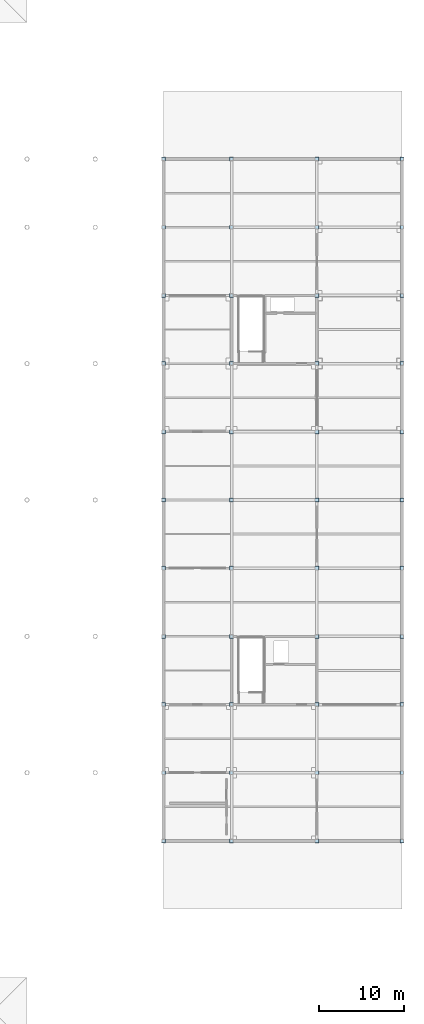
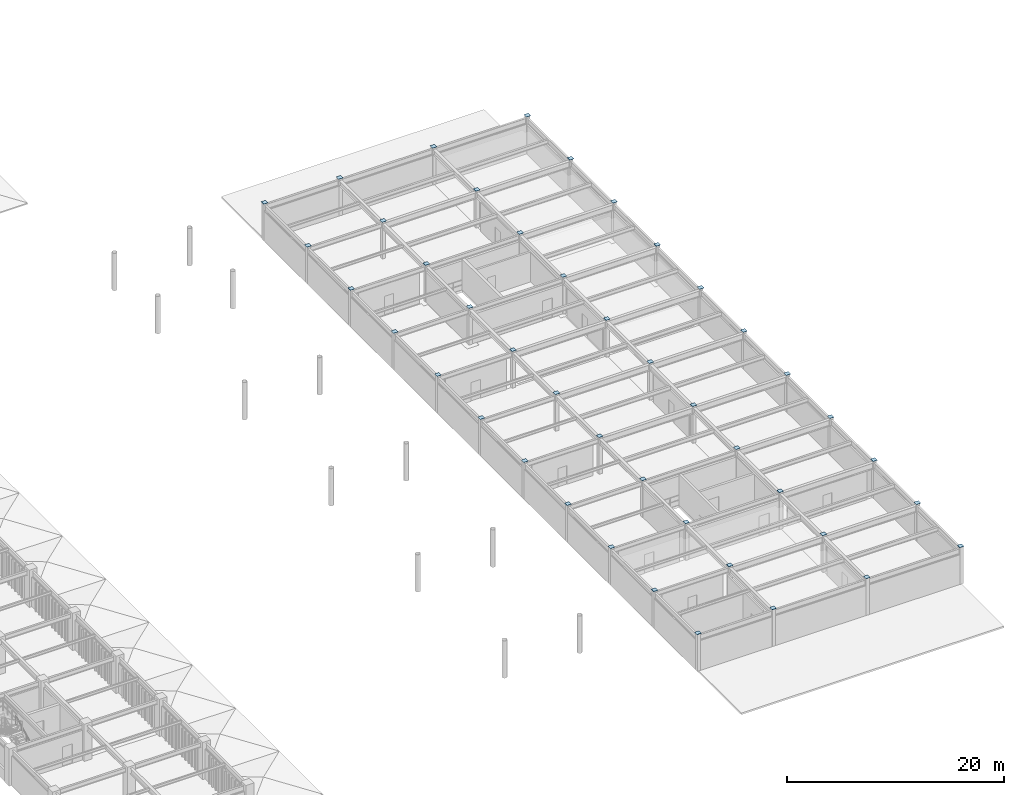
# One storey, part 50 of 78: 44 plates.
"""IFC4 building model written with IfcOpenShell, lengths in metres."""

from ifc_helpers import new_model, si_unit, direction, frame, origin, origin_2d, place, context, subcontext, project, spatial, rectangle, extrude, material, layer, layer_set, type_object, element, save


model = new_model("IFC4")

# Units and contexts
model_context = context("Model", 3, precision=1e-05, world=origin(), true_north=direction((0.0, 1.0)))
body_context = subcontext(model_context, "Body", "Model", "MODEL_VIEW")
ifc_project = project(units=[si_unit("LENGTHUNIT", "METRE"), si_unit("AREAUNIT", "SQUARE_METRE"), si_unit("VOLUMEUNIT", "CUBIC_METRE"), si_unit("PLANEANGLEUNIT", "RADIAN"), si_unit("MASSUNIT", "GRAM", prefix="KILO")], contexts=[model_context])

# Site, building, storey
site_placement = place(None, origin())
site = spatial("IfcSite", under=ifc_project, at=site_placement, CompositionType="ELEMENT")
building_placement = place(site_placement, origin())
building = spatial("IfcBuilding", under=site, at=building_placement, Name="Haebicheon Civic Stadium", CompositionType="ELEMENT")
storey_placement = place(building_placement, frame((0.0, 0.0, 18.60009765625)))
storey = spatial("IfcBuildingStorey", under=building, at=storey_placement, Name="L05", CompositionType="ELEMENT", Elevation=18.60009765625)

# Plates
ifc_material = material(Name="White painted steel SM490", Category="steel")
ifc_layer = layer(ifc_material, 0.02001953125, Name="White painted steel SM490")
ifc_layer_set = layer_set([ifc_layer], Name="White painted steel SM490")
plate_type = type_object("IfcPlateType", Name="PLT-CAP-20", PredefinedType="SHEET", material=ifc_layer_set)
for number, where, z_axis, x_axis, name in (
    (1, (208.0, 48.0, 4.18994140625), (0.0, 0.0, 1.0), (1.0, 0.0, 0.0), "L05 hollow steel column cap plate 27/G"),
    (2, (208.0, 56.0, 4.18994140625), (0.0, 0.0, 1.0), (1.0, 0.0, 0.0), "L05 hollow steel column cap plate 27/H"),
    (3, (208.0, 64.0, 4.18994140625), (0.0, 0.0, 1.0), (1.0, 0.0, 0.0), "L05 hollow steel column cap plate 27/J"),
    (4, (208.0, 72.0, 4.18994140625), (0.0, 0.0, 1.0), (1.0, 0.0, 0.0), "L05 hollow steel column cap plate 27/K"),
    (5, (208.0, 80.0, 4.18994140625), (0.0, 0.0, 1.0), (1.0, 0.0, 0.0), "L05 hollow steel column cap plate 27/L"),
    (6, (208.0, 88.0, 4.18994140625), (0.0, 0.0, 1.0), (1.0, 0.0, 0.0), "L05 hollow steel column cap plate 27/M"),
    (7, (208.0, 96.0, 4.18994140625), (0.0, 0.0, 1.0), (1.0, 0.0, 0.0), "L05 hollow steel column cap plate 27/N"),
    (8, (208.0, 104.0, 4.18994140625), (0.0, 0.0, 1.0), (1.0, 0.0, 0.0), "L05 hollow steel column cap plate 27/P"),
    (9, (208.0, 112.0, 4.18994140625), (0.0, 0.0, 1.0), (1.0, 0.0, 0.0), "L05 hollow steel column cap plate 27/Q"),
    (10, (208.0, 120.0, 4.18994140625), (0.0, 0.0, 1.0), (1.0, 0.0, 0.0), "L05 hollow steel column cap plate 27/R"),
    (11, (208.0, 128.0, 4.18994140625), (0.0, 0.0, 1.0), (1.0, 0.0, 0.0), "L05 hollow steel column cap plate 27/S"),
    (12, (216.0, 48.0, 4.18994140625), (0.0, 0.0, 1.0), (1.0, 0.0, 0.0), "L05 hollow steel column cap plate 28/G"),
    (13, (216.0, 56.0, 4.18994140625), (0.0, 0.0, 1.0), (1.0, 0.0, 0.0), "L05 hollow steel column cap plate 28/H"),
    (14, (216.0, 64.0, 4.18994140625), (0.0, 0.0, 1.0), (1.0, 0.0, 0.0), "L05 hollow steel column cap plate 28/J"),
    (15, (216.0, 72.0, 4.18994140625), (0.0, 0.0, 1.0), (1.0, 0.0, 0.0), "L05 hollow steel column cap plate 28/K"),
    (16, (216.0, 80.0, 4.18994140625), (0.0, 0.0, 1.0), (1.0, 0.0, 0.0), "L05 hollow steel column cap plate 28/L"),
    (17, (216.0, 88.0, 4.18994140625), (0.0, 0.0, 1.0), (1.0, 0.0, 0.0), "L05 hollow steel column cap plate 28/M"),
    (18, (216.0, 96.0, 4.18994140625), (0.0, 0.0, 1.0), (1.0, 0.0, 0.0), "L05 hollow steel column cap plate 28/N"),
    (19, (216.0, 104.0, 4.18994140625), (0.0, 0.0, 1.0), (1.0, 0.0, 0.0), "L05 hollow steel column cap plate 28/P"),
    (20, (216.0, 112.0, 4.18994140625), (0.0, 0.0, 1.0), (1.0, 0.0, 0.0), "L05 hollow steel column cap plate 28/Q"),
    (21, (216.0, 120.0, 4.18994140625), (0.0, 0.0, 1.0), (1.0, 0.0, 0.0), "L05 hollow steel column cap plate 28/R"),
    (22, (216.0, 128.0, 4.18994140625), (0.0, 0.0, 1.0), (1.0, 0.0, 0.0), "L05 hollow steel column cap plate 28/S"),
    (23, (226.0, 48.0, 4.18994140625), (0.0, 0.0, 1.0), (1.0, 0.0, 0.0), "L05 hollow steel column cap plate 29/G"),
    (24, (226.0, 56.0, 4.18994140625), (0.0, 0.0, 1.0), (1.0, 0.0, 0.0), "L05 hollow steel column cap plate 29/H"),
    (25, (226.0, 64.0, 4.18994140625), (0.0, 0.0, 1.0), (1.0, 0.0, 0.0), "L05 hollow steel column cap plate 29/J"),
    (26, (226.0, 72.0, 4.18994140625), (0.0, 0.0, 1.0), (1.0, 0.0, 0.0), "L05 hollow steel column cap plate 29/K"),
    (27, (226.0, 80.0, 4.18994140625), (0.0, 0.0, 1.0), (1.0, 0.0, 0.0), "L05 hollow steel column cap plate 29/L"),
    (28, (226.0, 88.0, 4.18994140625), (0.0, 0.0, 1.0), (1.0, 0.0, 0.0), "L05 hollow steel column cap plate 29/M"),
    (29, (226.0, 96.0, 4.18994140625), (0.0, 0.0, 1.0), (1.0, 0.0, 0.0), "L05 hollow steel column cap plate 29/N"),
    (30, (226.0, 104.0, 4.18994140625), (0.0, 0.0, 1.0), (1.0, 0.0, 0.0), "L05 hollow steel column cap plate 29/P"),
    (31, (226.0, 112.0, 4.18994140625), (0.0, 0.0, 1.0), (1.0, 0.0, 0.0), "L05 hollow steel column cap plate 29/Q"),
    (32, (226.0, 120.0, 4.18994140625), (0.0, 0.0, 1.0), (1.0, 0.0, 0.0), "L05 hollow steel column cap plate 29/R"),
    (33, (226.0, 128.0, 4.18994140625), (0.0, 0.0, 1.0), (1.0, 0.0, 0.0), "L05 hollow steel column cap plate 29/S"),
    (34, (236.0, 48.0, 4.18994140625), (0.0, 0.0, 1.0), (1.0, 0.0, 0.0), "L05 hollow steel column cap plate 30/G"),
    (35, (236.0, 56.0, 4.18994140625), (0.0, 0.0, 1.0), (1.0, 0.0, 0.0), "L05 hollow steel column cap plate 30/H"),
    (36, (236.0, 64.0, 4.18994140625), (0.0, 0.0, 1.0), (1.0, 0.0, 0.0), "L05 hollow steel column cap plate 30/J"),
    (37, (236.0, 72.0, 4.18994140625), (0.0, 0.0, 1.0), (1.0, 0.0, 0.0), "L05 hollow steel column cap plate 30/K"),
    (38, (236.0, 80.0, 4.18994140625), (0.0, 0.0, 1.0), (1.0, 0.0, 0.0), "L05 hollow steel column cap plate 30/L"),
    (39, (236.0, 88.0, 4.18994140625), (0.0, 0.0, 1.0), (1.0, 0.0, 0.0), "L05 hollow steel column cap plate 30/M"),
    (40, (236.0, 96.0, 4.18994140625), (0.0, 0.0, 1.0), (1.0, 0.0, 0.0), "L05 hollow steel column cap plate 30/N"),
    (41, (236.0, 104.0, 4.18994140625), (0.0, 0.0, 1.0), (1.0, 0.0, 0.0), "L05 hollow steel column cap plate 30/P"),
    (42, (236.0, 112.0, 4.18994140625), (0.0, 0.0, 1.0), (1.0, 0.0, 0.0), "L05 hollow steel column cap plate 30/Q"),
    (43, (236.0, 120.0, 4.18994140625), (0.0, 0.0, 1.0), (1.0, 0.0, 0.0), "L05 hollow steel column cap plate 30/R"),
    (44, (236.0, 128.0, 4.18994140625), (0.0, 0.0, 1.0), (1.0, 0.0, 0.0), "L05 hollow steel column cap plate 30/S"),
):
    element("IfcPlate", number, at=place(storey_placement, frame(where, z_axis=z_axis, x_axis=x_axis)), inside=storey, type_object=plate_type, material=ifc_layer_set, Name=name, PredefinedType="SHEET", context=body_context, shape_type="SweptSolid", body=[
        extrude(rectangle(XDim=0.4599609375, YDim=0.4599609375, at=origin_2d()), origin(), (0.0, 0.0, 1.0), 0.02001953125),
    ])

save(model, "model.ifc")
